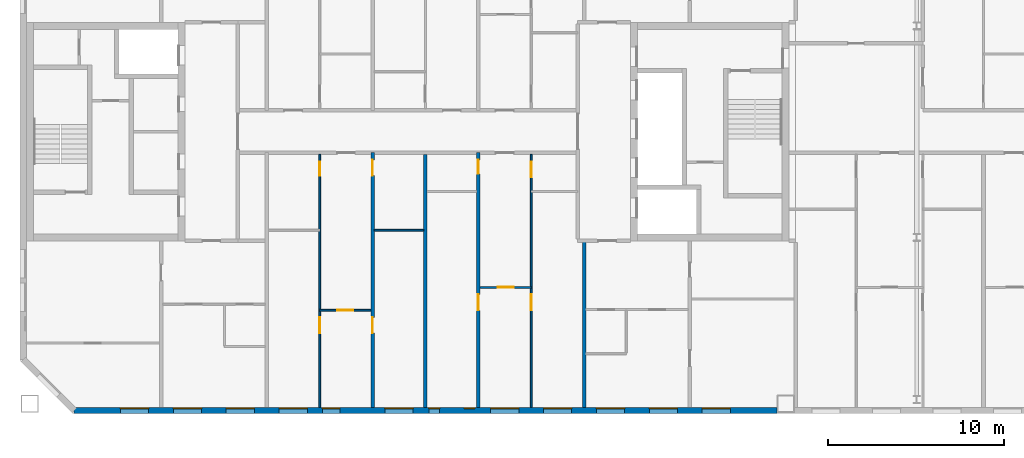
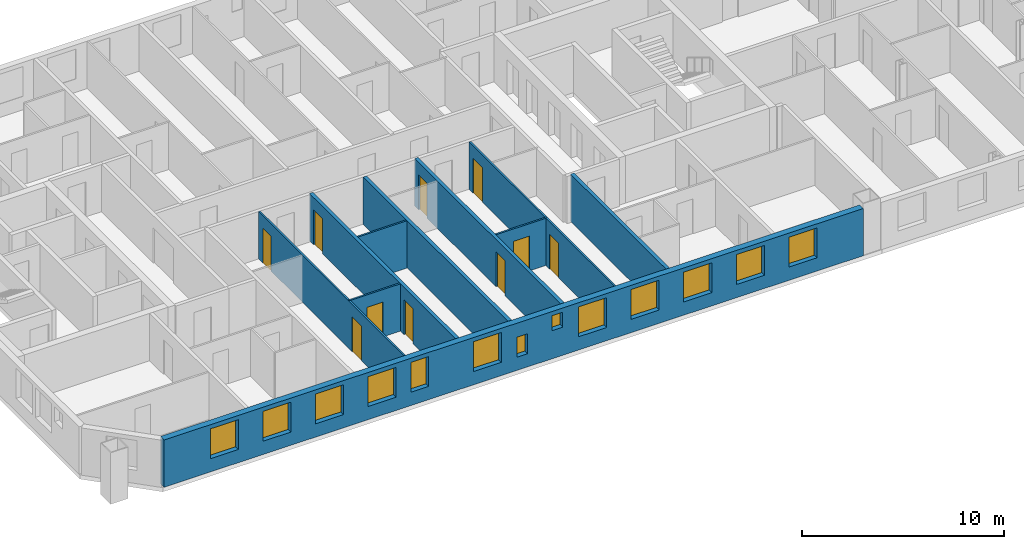
# One storey, part 5 of 19: 13 windows, 10 doors, 10 walls, 23 openings.
"""IFC4 building model written with IfcOpenShell, lengths in metres."""

from ifc_helpers import new_model, si_unit, direction, frame, frame_2d, origin, place, context, subcontext, project, spatial, rectangle, extrude, material, layer, layer_set, type_object, element, fill, save


model = new_model("IFC4")

# Units and contexts
model_context = context("Model", 3, precision=1e-05, world=origin(), true_north=direction((0.0, 1.0)))
body_context = subcontext(model_context, "Body", "Model", "MODEL_VIEW")
ifc_project = project(units=[si_unit("LENGTHUNIT", "METRE"), si_unit("AREAUNIT", "SQUARE_METRE"), si_unit("VOLUMEUNIT", "CUBIC_METRE"), si_unit("PLANEANGLEUNIT", "RADIAN"), si_unit("MASSUNIT", "GRAM", prefix="KILO")], contexts=[model_context])

# Site, building, storey
site_placement = place(None, origin())
site = spatial("IfcSite", under=ifc_project, at=site_placement, CompositionType="ELEMENT")
building_placement = place(site_placement, origin())
building = spatial("IfcBuilding", under=site, at=building_placement, Name="Tuart Gate Housing", CompositionType="ELEMENT")
storey_placement = place(building_placement, frame((0.0, 0.0, 230.699951171875)))
storey = spatial("IfcBuildingStorey", under=building, at=storey_placement, Name="L65", CompositionType="ELEMENT", Elevation=230.699951171875)

# Wall, openings, windows
ifc_material_1 = material(Name="Brick", Category="masonry")
ifc_layer_1 = layer(ifc_material_1, 0.360107421875)
ifc_layer_set_1 = layer_set([ifc_layer_1], Name="Brick pier and spandrel wall 360")
wall_type_1 = type_object("IfcWallType", Name="Brick pier and spandrel wall 360", PredefinedType="STANDARD", material=ifc_layer_set_1)
wall_1_placement = place(storey_placement, frame((35.07470703125, 54.179931640625, 0.0), z_axis=(0.0, 0.0, 1.0), x_axis=(1.0, 0.0, 0.0)))
wall_1 = element("IfcWall", 1, at=wall_1_placement, inside=storey, type_object=wall_type_1, Name="External wall BLK-S L65", PredefinedType="STANDARD", context=body_context, shape_type="SweptSolid", body=[
    extrude(rectangle(XDim=39.875244140625, YDim=0.360107421875, at=frame_2d((19.9375, 0.0))), origin(), (0.0, 0.0, 1.0), 2.85009765625),
])
opening_1_placement = place(wall_1_placement, frame((2.62548828125, 0.0, 0.800048828125)))
opening_1 = element("IfcOpeningElement", 2, at=opening_1_placement, cuts=wall_1, Name="Opening W1", PredefinedType="OPENING", context=body_context, shape_type="SweptSolid", body=[
    extrude(rectangle(XDim=1.60009765625, YDim=1.800048828125, at=frame_2d((0.800048828125, 0.89990234375))), frame((0.0, 0.18994140625, 0.0), z_axis=(0.0, -1.0, 0.0), x_axis=(1.0, 0.0, 0.0)), (0.0, 0.0, 1.0), 0.380126953125),
])
opening_2_placement = place(wall_1_placement, frame((5.62548828125, 0.0, 0.800048828125)))
opening_2 = element("IfcOpeningElement", 3, at=opening_2_placement, cuts=wall_1, Name="Opening W1", PredefinedType="OPENING", context=body_context, shape_type="SweptSolid", body=[
    extrude(rectangle(XDim=1.60009765625, YDim=1.800048828125, at=frame_2d((0.800048828125, 0.89990234375))), frame((0.0, 0.18994140625, 0.0), z_axis=(0.0, -1.0, 0.0), x_axis=(1.0, 0.0, 0.0)), (0.0, 0.0, 1.0), 0.380126953125),
])
opening_3_placement = place(wall_1_placement, frame((8.62548828125, 0.0, 0.800048828125)))
opening_3 = element("IfcOpeningElement", 4, at=opening_3_placement, cuts=wall_1, Name="Opening W1", PredefinedType="OPENING", context=body_context, shape_type="SweptSolid", body=[
    extrude(rectangle(XDim=1.60009765625, YDim=1.800048828125, at=frame_2d((0.800048828125, 0.89990234375))), frame((0.0, 0.18994140625, 0.0), z_axis=(0.0, -1.0, 0.0), x_axis=(1.0, 0.0, 0.0)), (0.0, 0.0, 1.0), 0.380126953125),
])
opening_4_placement = place(wall_1_placement, frame((11.62548828125, 0.0, 0.800048828125)))
opening_4 = element("IfcOpeningElement", 5, at=opening_4_placement, cuts=wall_1, Name="Opening W1", PredefinedType="OPENING", context=body_context, shape_type="SweptSolid", body=[
    extrude(rectangle(XDim=1.60009765625, YDim=1.800048828125, at=frame_2d((0.800048828125, 0.89990234375))), frame((0.0, 0.18994140625, 0.0), z_axis=(0.0, -1.0, 0.0), x_axis=(1.0, 0.0, 0.0)), (0.0, 0.0, 1.0), 0.380126953125),
])
opening_5_placement = place(wall_1_placement, frame((14.075439453125, 0.0, 0.800048828125)))
opening_5 = element("IfcOpeningElement", 6, at=opening_5_placement, cuts=wall_1, Name="Opening W1C", PredefinedType="OPENING", context=body_context, shape_type="SweptSolid", body=[
    extrude(rectangle(XDim=1.0, YDim=1.800048828125, at=frame_2d((0.5, 0.89990234375))), frame((0.0, 0.18994140625, 0.0), z_axis=(0.0, -1.0, 0.0), x_axis=(1.0, 0.0, 0.0)), (0.0, 0.0, 1.0), 0.380126953125),
])
opening_6_placement = place(wall_1_placement, frame((17.62548828125, 0.0, 0.800048828125)))
opening_6 = element("IfcOpeningElement", 7, at=opening_6_placement, cuts=wall_1, Name="Opening W1", PredefinedType="OPENING", context=body_context, shape_type="SweptSolid", body=[
    extrude(rectangle(XDim=1.60009765625, YDim=1.800048828125, at=frame_2d((0.800048828125, 0.89990234375))), frame((0.0, 0.18994140625, 0.0), z_axis=(0.0, -1.0, 0.0), x_axis=(1.0, 0.0, 0.0)), (0.0, 0.0, 1.0), 0.380126953125),
])
opening_7_placement = place(wall_1_placement, frame((20.12548828125, 0.0, 0.800048828125)))
opening_7 = element("IfcOpeningElement", 8, at=opening_7_placement, cuts=wall_1, Name="Opening W1Q", PredefinedType="OPENING", context=body_context, shape_type="SweptSolid", body=[
    extrude(rectangle(XDim=0.60009765625, YDim=1.199951171875, at=frame_2d((0.300048828125, 0.60009765625))), frame((0.0, 0.18994140625, 0.0), z_axis=(0.0, -1.0, 0.0), x_axis=(1.0, 0.0, 0.0)), (0.0, 0.0, 1.0), 0.380126953125),
])
opening_8_placement = place(wall_1_placement, frame((23.62548828125, 0.0, 0.800048828125)))
opening_8 = element("IfcOpeningElement", 9, at=opening_8_placement, cuts=wall_1, Name="Opening W1", PredefinedType="OPENING", context=body_context, shape_type="SweptSolid", body=[
    extrude(rectangle(XDim=1.60009765625, YDim=1.800048828125, at=frame_2d((0.800048828125, 0.89990234375))), frame((0.0, 0.18994140625, 0.0), z_axis=(0.0, -1.0, 0.0), x_axis=(1.0, 0.0, 0.0)), (0.0, 0.0, 1.0), 0.380126953125),
])
opening_9_placement = place(wall_1_placement, frame((26.62548828125, 0.0, 0.800048828125)))
opening_9 = element("IfcOpeningElement", 10, at=opening_9_placement, cuts=wall_1, Name="Opening W1", PredefinedType="OPENING", context=body_context, shape_type="SweptSolid", body=[
    extrude(rectangle(XDim=1.60009765625, YDim=1.800048828125, at=frame_2d((0.800048828125, 0.89990234375))), frame((0.0, 0.18994140625, 0.0), z_axis=(0.0, -1.0, 0.0), x_axis=(1.0, 0.0, 0.0)), (0.0, 0.0, 1.0), 0.380126953125),
])
opening_10_placement = place(wall_1_placement, frame((29.62548828125, 0.0, 0.800048828125)))
opening_10 = element("IfcOpeningElement", 11, at=opening_10_placement, cuts=wall_1, Name="Opening W1", PredefinedType="OPENING", context=body_context, shape_type="SweptSolid", body=[
    extrude(rectangle(XDim=1.60009765625, YDim=1.800048828125, at=frame_2d((0.800048828125, 0.89990234375))), frame((0.0, 0.18994140625, 0.0), z_axis=(0.0, -1.0, 0.0), x_axis=(1.0, 0.0, 0.0)), (0.0, 0.0, 1.0), 0.380126953125),
])
opening_11_placement = place(wall_1_placement, frame((32.62548828125, 0.0, 0.800048828125)))
opening_11 = element("IfcOpeningElement", 12, at=opening_11_placement, cuts=wall_1, Name="Opening W1", PredefinedType="OPENING", context=body_context, shape_type="SweptSolid", body=[
    extrude(rectangle(XDim=1.60009765625, YDim=1.800048828125, at=frame_2d((0.800048828125, 0.89990234375))), frame((0.0, 0.18994140625, 0.0), z_axis=(0.0, -1.0, 0.0), x_axis=(1.0, 0.0, 0.0)), (0.0, 0.0, 1.0), 0.380126953125),
])
opening_12_placement = place(wall_1_placement, frame((35.62548828125, 0.0, 0.800048828125)))
opening_12 = element("IfcOpeningElement", 13, at=opening_12_placement, cuts=wall_1, Name="Opening W1", PredefinedType="OPENING", context=body_context, shape_type="SweptSolid", body=[
    extrude(rectangle(XDim=1.60009765625, YDim=1.800048828125, at=frame_2d((0.800048828125, 0.89990234375))), frame((0.0, 0.18994140625, 0.0), z_axis=(0.0, -1.0, 0.0), x_axis=(1.0, 0.0, 0.0)), (0.0, 0.0, 1.0), 0.380126953125),
])
opening_13_placement = place(wall_1_placement, frame((22.12548828125, 0.0, 1.699951171875)))
opening_13 = element("IfcOpeningElement", 14, at=opening_13_placement, cuts=wall_1, Name="Opening W1W", PredefinedType="OPENING", context=body_context, shape_type="SweptSolid", body=[
    extrude(rectangle(XDim=0.60009765625, YDim=0.89990234375, at=frame_2d((0.300048828125, 0.449951171875))), frame((0.0, 0.18994140625, 0.0), z_axis=(0.0, -1.0, 0.0), x_axis=(1.0, 0.0, 0.0)), (0.0, 0.0, 1.0), 0.380126953125),
])
ifc_material_2 = material(Name="Aluminium frame with clear glass", Category="aluminium")
window_type_1 = type_object("IfcWindowType", Name="Punched window 1000 x 1800", PartitioningType="SINGLE_PANEL", PredefinedType="WINDOW", material=ifc_material_2)
window_1_placement = place(opening_5_placement, origin())
window_1 = element("IfcWindow", 15, at=window_1_placement, inside=storey, type_object=window_type_1, Name="Window W1C", OverallHeight=1.800048828125, OverallWidth=1.0, PartitioningType="SINGLE_PANEL", PredefinedType="WINDOW", context=body_context, shape_type="SweptSolid", body=[
    extrude(rectangle(XDim=1.0, YDim=1.800048828125, at=frame_2d((0.5, 0.89990234375))), frame((0.0, 0.150146484375, 0.0), z_axis=(0.0, -1.0, 0.0), x_axis=(1.0, 0.0, 0.0)), (0.0, 0.0, 1.0), 0.06005859375),
])
fill(opening_5, window_1)
ifc_material_3 = material(Name="Aluminium frame with clear glass", Category="aluminium")
window_type_2 = type_object("IfcWindowType", Name="Punched window 1600 x 1800", PartitioningType="SINGLE_PANEL", PredefinedType="WINDOW", material=ifc_material_3)
window_2_placement = place(opening_1_placement, origin())
window_2 = element("IfcWindow", 16, at=window_2_placement, inside=storey, type_object=window_type_2, Name="Window W1", OverallHeight=1.800048828125, OverallWidth=1.60009765625, PartitioningType="SINGLE_PANEL", PredefinedType="WINDOW", context=body_context, shape_type="SweptSolid", body=[
    extrude(rectangle(XDim=1.60009765625, YDim=1.800048828125, at=frame_2d((0.800048828125, 0.89990234375))), frame((0.0, 0.150146484375, 0.0), z_axis=(0.0, -1.0, 0.0), x_axis=(1.0, 0.0, 0.0)), (0.0, 0.0, 1.0), 0.06005859375),
])
fill(opening_1, window_2)
window_3_placement = place(opening_2_placement, origin())
window_3 = element("IfcWindow", 17, at=window_3_placement, inside=storey, type_object=window_type_2, Name="Window W1", OverallHeight=1.800048828125, OverallWidth=1.60009765625, PartitioningType="SINGLE_PANEL", PredefinedType="WINDOW", context=body_context, shape_type="SweptSolid", body=[
    extrude(rectangle(XDim=1.60009765625, YDim=1.800048828125, at=frame_2d((0.800048828125, 0.89990234375))), frame((0.0, 0.150146484375, 0.0), z_axis=(0.0, -1.0, 0.0), x_axis=(1.0, 0.0, 0.0)), (0.0, 0.0, 1.0), 0.06005859375),
])
fill(opening_2, window_3)
window_4_placement = place(opening_3_placement, origin())
window_4 = element("IfcWindow", 18, at=window_4_placement, inside=storey, type_object=window_type_2, Name="Window W1", OverallHeight=1.800048828125, OverallWidth=1.60009765625, PartitioningType="SINGLE_PANEL", PredefinedType="WINDOW", context=body_context, shape_type="SweptSolid", body=[
    extrude(rectangle(XDim=1.60009765625, YDim=1.800048828125, at=frame_2d((0.800048828125, 0.89990234375))), frame((0.0, 0.150146484375, 0.0), z_axis=(0.0, -1.0, 0.0), x_axis=(1.0, 0.0, 0.0)), (0.0, 0.0, 1.0), 0.06005859375),
])
fill(opening_3, window_4)
window_5_placement = place(opening_4_placement, origin())
window_5 = element("IfcWindow", 19, at=window_5_placement, inside=storey, type_object=window_type_2, Name="Window W1", OverallHeight=1.800048828125, OverallWidth=1.60009765625, PartitioningType="SINGLE_PANEL", PredefinedType="WINDOW", context=body_context, shape_type="SweptSolid", body=[
    extrude(rectangle(XDim=1.60009765625, YDim=1.800048828125, at=frame_2d((0.800048828125, 0.89990234375))), frame((0.0, 0.150146484375, 0.0), z_axis=(0.0, -1.0, 0.0), x_axis=(1.0, 0.0, 0.0)), (0.0, 0.0, 1.0), 0.06005859375),
])
fill(opening_4, window_5)
window_6_placement = place(opening_6_placement, origin())
window_6 = element("IfcWindow", 20, at=window_6_placement, inside=storey, type_object=window_type_2, Name="Window W1", OverallHeight=1.800048828125, OverallWidth=1.60009765625, PartitioningType="SINGLE_PANEL", PredefinedType="WINDOW", context=body_context, shape_type="SweptSolid", body=[
    extrude(rectangle(XDim=1.60009765625, YDim=1.800048828125, at=frame_2d((0.800048828125, 0.89990234375))), frame((0.0, 0.150146484375, 0.0), z_axis=(0.0, -1.0, 0.0), x_axis=(1.0, 0.0, 0.0)), (0.0, 0.0, 1.0), 0.06005859375),
])
fill(opening_6, window_6)
window_7_placement = place(opening_8_placement, origin())
window_7 = element("IfcWindow", 21, at=window_7_placement, inside=storey, type_object=window_type_2, Name="Window W1", OverallHeight=1.800048828125, OverallWidth=1.60009765625, PartitioningType="SINGLE_PANEL", PredefinedType="WINDOW", context=body_context, shape_type="SweptSolid", body=[
    extrude(rectangle(XDim=1.60009765625, YDim=1.800048828125, at=frame_2d((0.800048828125, 0.89990234375))), frame((0.0, 0.150146484375, 0.0), z_axis=(0.0, -1.0, 0.0), x_axis=(1.0, 0.0, 0.0)), (0.0, 0.0, 1.0), 0.06005859375),
])
fill(opening_8, window_7)
window_8_placement = place(opening_9_placement, origin())
window_8 = element("IfcWindow", 22, at=window_8_placement, inside=storey, type_object=window_type_2, Name="Window W1", OverallHeight=1.800048828125, OverallWidth=1.60009765625, PartitioningType="SINGLE_PANEL", PredefinedType="WINDOW", context=body_context, shape_type="SweptSolid", body=[
    extrude(rectangle(XDim=1.60009765625, YDim=1.800048828125, at=frame_2d((0.800048828125, 0.89990234375))), frame((0.0, 0.150146484375, 0.0), z_axis=(0.0, -1.0, 0.0), x_axis=(1.0, 0.0, 0.0)), (0.0, 0.0, 1.0), 0.06005859375),
])
fill(opening_9, window_8)
window_9_placement = place(opening_10_placement, origin())
window_9 = element("IfcWindow", 23, at=window_9_placement, inside=storey, type_object=window_type_2, Name="Window W1", OverallHeight=1.800048828125, OverallWidth=1.60009765625, PartitioningType="SINGLE_PANEL", PredefinedType="WINDOW", context=body_context, shape_type="SweptSolid", body=[
    extrude(rectangle(XDim=1.60009765625, YDim=1.800048828125, at=frame_2d((0.800048828125, 0.89990234375))), frame((0.0, 0.150146484375, 0.0), z_axis=(0.0, -1.0, 0.0), x_axis=(1.0, 0.0, 0.0)), (0.0, 0.0, 1.0), 0.06005859375),
])
fill(opening_10, window_9)
window_10_placement = place(opening_11_placement, origin())
window_10 = element("IfcWindow", 24, at=window_10_placement, inside=storey, type_object=window_type_2, Name="Window W1", OverallHeight=1.800048828125, OverallWidth=1.60009765625, PartitioningType="SINGLE_PANEL", PredefinedType="WINDOW", context=body_context, shape_type="SweptSolid", body=[
    extrude(rectangle(XDim=1.60009765625, YDim=1.800048828125, at=frame_2d((0.800048828125, 0.89990234375))), frame((0.0, 0.150146484375, 0.0), z_axis=(0.0, -1.0, 0.0), x_axis=(1.0, 0.0, 0.0)), (0.0, 0.0, 1.0), 0.06005859375),
])
fill(opening_11, window_10)
window_11_placement = place(opening_12_placement, origin())
window_11 = element("IfcWindow", 25, at=window_11_placement, inside=storey, type_object=window_type_2, Name="Window W1", OverallHeight=1.800048828125, OverallWidth=1.60009765625, PartitioningType="SINGLE_PANEL", PredefinedType="WINDOW", context=body_context, shape_type="SweptSolid", body=[
    extrude(rectangle(XDim=1.60009765625, YDim=1.800048828125, at=frame_2d((0.800048828125, 0.89990234375))), frame((0.0, 0.150146484375, 0.0), z_axis=(0.0, -1.0, 0.0), x_axis=(1.0, 0.0, 0.0)), (0.0, 0.0, 1.0), 0.06005859375),
])
fill(opening_12, window_11)
ifc_material_4 = material(Name="Aluminium frame with clear glass", Category="aluminium")
window_type_3 = type_object("IfcWindowType", Name="Punched window 600 x 1200", PartitioningType="SINGLE_PANEL", PredefinedType="WINDOW", material=ifc_material_4)
window_12_placement = place(opening_7_placement, origin())
window_12 = element("IfcWindow", 26, at=window_12_placement, inside=storey, type_object=window_type_3, Name="Window W1Q", OverallHeight=1.199951171875, OverallWidth=0.60009765625, PartitioningType="SINGLE_PANEL", PredefinedType="WINDOW", context=body_context, shape_type="SweptSolid", body=[
    extrude(rectangle(XDim=0.60009765625, YDim=1.199951171875, at=frame_2d((0.300048828125, 0.60009765625))), frame((0.0, 0.150146484375, 0.0), z_axis=(0.0, -1.0, 0.0), x_axis=(1.0, 0.0, 0.0)), (0.0, 0.0, 1.0), 0.06005859375),
])
fill(opening_7, window_12)
ifc_material_5 = material(Name="Aluminium frame with clear glass", Category="aluminium")
window_type_4 = type_object("IfcWindowType", Name="Punched window 600 x 900", PartitioningType="SINGLE_PANEL", PredefinedType="WINDOW", material=ifc_material_5)
window_13_placement = place(opening_13_placement, origin())
window_13 = element("IfcWindow", 27, at=window_13_placement, inside=storey, type_object=window_type_4, Name="Window W1W", OverallHeight=0.89990234375, OverallWidth=0.60009765625, PartitioningType="SINGLE_PANEL", PredefinedType="WINDOW", context=body_context, shape_type="SweptSolid", body=[
    extrude(rectangle(XDim=0.60009765625, YDim=0.89990234375, at=frame_2d((0.300048828125, 0.449951171875))), frame((0.0, 0.150146484375, 0.0), z_axis=(0.0, -1.0, 0.0), x_axis=(1.0, 0.0, 0.0)), (0.0, 0.0, 1.0), 0.06005859375),
])
fill(opening_13, window_13)

# Wall, opening, door
ifc_material_6 = material(Name="Gypsum board on steel studs", Category="steel")
ifc_layer_2 = layer(ifc_material_6, 0.10009765625)
ifc_layer_set_2 = layer_set([ifc_layer_2], Name="Partition 100")
wall_type_2 = type_object("IfcWallType", Name="Partition 100", PredefinedType="PARTITIONING", material=ifc_layer_set_2)
wall_2_placement = place(storey_placement, frame((49.0, 59.860107421875, 0.0), z_axis=(0.0, 0.0, 1.0), x_axis=(1.0, 0.0, 0.0)))
wall_2 = element("IfcWall", 28, at=wall_2_placement, inside=storey, type_object=wall_type_2, Name="Partition 100", PredefinedType="PARTITIONING", context=body_context, shape_type="SweptSolid", body=[
    extrude(rectangle(XDim=2.89990234375, YDim=0.10009765625, at=frame_2d((1.449951171875, 0.0))), origin(), (0.0, 0.0, 1.0), 2.85009765625),
])
opening_14_placement = place(wall_2_placement, frame((1.0, 0.0, 0.0)))
opening_14 = element("IfcOpeningElement", 29, at=opening_14_placement, cuts=wall_2, Name="Opening D2494", PredefinedType="OPENING", context=body_context, shape_type="SweptSolid", body=[
    extrude(rectangle(XDim=0.89990234375, YDim=2.10009765625, at=frame_2d((0.449951171875, 1.050048828125))), frame((0.0, 0.06005859375, 0.0), z_axis=(0.0, -1.0, 0.0), x_axis=(1.0, 0.0, 0.0)), (0.0, 0.0, 1.0), 0.1201171875),
])
ifc_material_7 = material(Name="Timber door leaf in steel frame", Category="steel")
door_type_1 = type_object("IfcDoorType", Name="Internal door 900", OperationType="SINGLE_SWING_LEFT", PredefinedType="DOOR", material=ifc_material_7)
door_1_placement = place(opening_14_placement, origin())
door_1 = element("IfcDoor", 30, at=door_1_placement, inside=storey, type_object=door_type_1, Name="Internal door", OperationType="SINGLE_SWING_LEFT", OverallHeight=2.10009765625, OverallWidth=0.89990234375, PredefinedType="DOOR", context=body_context, shape_type="SweptSolid", body=[
    extrude(rectangle(XDim=0.89990234375, YDim=2.10009765625, at=frame_2d((0.449951171875, 1.050048828125))), frame((0.0, 0.02490234375, 0.0), z_axis=(0.0, -1.0, 0.0), x_axis=(1.0, 0.0, 0.0)), (0.0, 0.0, 1.0), 0.050048828125),
])
fill(opening_14, door_1)

wall_3_placement = place(storey_placement, frame((58.10009765625, 61.159912109375, 0.0), z_axis=(0.0, 0.0, 1.0), x_axis=(1.0, 0.0, 0.0)))
wall_3 = element("IfcWall", 31, at=wall_3_placement, inside=storey, type_object=wall_type_2, Name="Partition 100", PredefinedType="PARTITIONING", context=body_context, shape_type="SweptSolid", body=[
    extrude(rectangle(XDim=2.89990234375, YDim=0.10009765625, at=frame_2d((1.449951171875, 0.0))), origin(), (0.0, 0.0, 1.0), 2.85009765625),
])
opening_15_placement = place(wall_3_placement, frame((1.0, 0.0, 0.0)))
opening_15 = element("IfcOpeningElement", 32, at=opening_15_placement, cuts=wall_3, Name="Opening D2489", PredefinedType="OPENING", context=body_context, shape_type="SweptSolid", body=[
    extrude(rectangle(XDim=0.89990234375, YDim=2.10009765625, at=frame_2d((0.449951171875, 1.050048828125))), frame((0.0, 0.06005859375, 0.0), z_axis=(0.0, -1.0, 0.0), x_axis=(1.0, 0.0, 0.0)), (0.0, 0.0, 1.0), 0.1201171875),
])
ifc_material_8 = material(Name="Timber door leaf in steel frame", Category="steel")
door_type_2 = type_object("IfcDoorType", Name="Internal door 900 RH", OperationType="SINGLE_SWING_RIGHT", PredefinedType="DOOR", material=ifc_material_8)
door_2_placement = place(opening_15_placement, origin())
door_2 = element("IfcDoor", 33, at=door_2_placement, inside=storey, type_object=door_type_2, Name="Internal door", OperationType="SINGLE_SWING_RIGHT", OverallHeight=2.10009765625, OverallWidth=0.89990234375, PredefinedType="DOOR", context=body_context, shape_type="SweptSolid", body=[
    extrude(rectangle(XDim=0.89990234375, YDim=2.10009765625, at=frame_2d((0.449951171875, 1.050048828125))), frame((0.0, 0.02490234375, 0.0), z_axis=(0.0, -1.0, 0.0), x_axis=(1.0, 0.0, 0.0)), (0.0, 0.0, 1.0), 0.050048828125),
])
fill(opening_15, door_2)

# Wall
wall_4_placement = place(storey_placement, frame((52.10009765625, 64.39990234375, 0.0), z_axis=(0.0, 0.0, 1.0), x_axis=(1.0, 0.0, 0.0)))
element("IfcWall", 34, at=wall_4_placement, inside=storey, type_object=wall_type_2, Name="Partition 100", PredefinedType="PARTITIONING", context=body_context, shape_type="SweptSolid", body=[
    extrude(rectangle(XDim=2.7998046875, YDim=0.10009765625, at=frame_2d((1.39990234375, 0.0))), origin(), (0.0, 0.0, 1.0), 2.85009765625),
])

# Wall, openings, doors
wall_5_placement = place(storey_placement, frame((49.0, 54.360107421875, 0.0), z_axis=(0.0, 0.0, 1.0), x_axis=(0.0, 1.0, 0.0)))
wall_5 = element("IfcWall", 35, at=wall_5_placement, inside=storey, type_object=wall_type_2, Name="Partition 100", PredefinedType="PARTITIONING", context=body_context, shape_type="SweptSolid", body=[
    extrude(rectangle(XDim=14.33984375, YDim=0.10009765625, at=frame_2d((7.169921875, 0.0))), origin(), (0.0, 0.0, 1.0), 2.85009765625),
])
opening_16_placement = place(wall_5_placement, frame((4.199951171875, 0.0, 0.0)))
opening_16 = element("IfcOpeningElement", 36, at=opening_16_placement, cuts=wall_5, Name="Opening D2485", PredefinedType="OPENING", context=body_context, shape_type="SweptSolid", body=[
    extrude(rectangle(XDim=0.89990234375, YDim=2.10009765625, at=frame_2d((0.449951171875, 1.050048828125))), frame((0.0, 0.06005859375, 0.0), z_axis=(0.0, -1.0, 0.0), x_axis=(1.0, 0.0, 0.0)), (0.0, 0.0, 1.0), 0.1201171875),
])
opening_17_placement = place(wall_5_placement, frame((13.139892578125, 0.0, 0.0)))
opening_17 = element("IfcOpeningElement", 37, at=opening_17_placement, cuts=wall_5, Name="Opening D2486", PredefinedType="OPENING", context=body_context, shape_type="SweptSolid", body=[
    extrude(rectangle(XDim=0.800048828125, YDim=2.10009765625, at=frame_2d((0.39990234375, 1.050048828125))), frame((0.0, 0.06005859375, 0.0), z_axis=(0.0, -1.0, 0.0), x_axis=(1.0, 0.0, 0.0)), (0.0, 0.0, 1.0), 0.1201171875),
])
door_3_placement = place(opening_16_placement, origin())
door_3 = element("IfcDoor", 38, at=door_3_placement, inside=storey, type_object=door_type_1, Name="Internal door", OperationType="SINGLE_SWING_LEFT", OverallHeight=2.10009765625, OverallWidth=0.89990234375, PredefinedType="DOOR", context=body_context, shape_type="SweptSolid", body=[
    extrude(rectangle(XDim=0.89990234375, YDim=2.10009765625, at=frame_2d((0.449951171875, 1.050048828125))), frame((0.0, 0.02490234375, 0.0), z_axis=(0.0, -1.0, 0.0), x_axis=(1.0, 0.0, 0.0)), (0.0, 0.0, 1.0), 0.050048828125),
])
fill(opening_16, door_3)
ifc_material_9 = material(Name="Timber door leaf in steel frame", Category="steel")
door_type_3 = type_object("IfcDoorType", Name="Store door 800 RH", OperationType="SINGLE_SWING_RIGHT", PredefinedType="DOOR", material=ifc_material_9)
door_4_placement = place(opening_17_placement, origin())
door_4 = element("IfcDoor", 39, at=door_4_placement, inside=storey, type_object=door_type_3, Name="Store door", OperationType="SINGLE_SWING_RIGHT", OverallHeight=2.10009765625, OverallWidth=0.800048828125, PredefinedType="DOOR", context=body_context, shape_type="SweptSolid", body=[
    extrude(rectangle(XDim=0.800048828125, YDim=2.10009765625, at=frame_2d((0.39990234375, 1.050048828125))), frame((0.0, 0.02490234375, 0.0), z_axis=(0.0, -1.0, 0.0), x_axis=(1.0, 0.0, 0.0)), (0.0, 0.0, 1.0), 0.050048828125),
])
fill(opening_17, door_4)

wall_6_placement = place(storey_placement, frame((61.0, 54.360107421875, 0.0), z_axis=(0.0, 0.0, 1.0), x_axis=(0.0, 1.0, 0.0)))
wall_6 = element("IfcWall", 40, at=wall_6_placement, inside=storey, type_object=wall_type_2, Name="Partition 100", PredefinedType="PARTITIONING", context=body_context, shape_type="SweptSolid", body=[
    extrude(rectangle(XDim=14.33984375, YDim=0.10009765625, at=frame_2d((7.169921875, 0.0))), origin(), (0.0, 0.0, 1.0), 2.85009765625),
])
opening_18_placement = place(wall_6_placement, frame((5.5, 0.0, 0.0)))
opening_18 = element("IfcOpeningElement", 41, at=opening_18_placement, cuts=wall_6, Name="Opening D2488", PredefinedType="OPENING", context=body_context, shape_type="SweptSolid", body=[
    extrude(rectangle(XDim=0.89990234375, YDim=2.10009765625, at=frame_2d((0.449951171875, 1.050048828125))), frame((0.0, 0.06005859375, 0.0), z_axis=(0.0, -1.0, 0.0), x_axis=(1.0, 0.0, 0.0)), (0.0, 0.0, 1.0), 0.1201171875),
])
opening_19_placement = place(wall_6_placement, frame((13.0400390625, 0.0, 0.0)))
opening_19 = element("IfcOpeningElement", 42, at=opening_19_placement, cuts=wall_6, Name="Opening D2487", PredefinedType="OPENING", context=body_context, shape_type="SweptSolid", body=[
    extrude(rectangle(XDim=0.89990234375, YDim=2.10009765625, at=frame_2d((0.449951171875, 1.050048828125))), frame((0.0, 0.06005859375, 0.0), z_axis=(0.0, -1.0, 0.0), x_axis=(1.0, 0.0, 0.0)), (0.0, 0.0, 1.0), 0.1201171875),
])
ifc_material_10 = material(Name="Timber door leaf in steel frame", Category="steel")
door_type_4 = type_object("IfcDoorType", Name="Bathroom door 900", OperationType="SINGLE_SWING_LEFT", PredefinedType="DOOR", material=ifc_material_10)
door_5_placement = place(opening_19_placement, frame((0.89990234375, 0.0, 0.0), z_axis=(0.0, 0.0, 1.0), x_axis=(-1.0, 0.0, 0.0)))
door_5 = element("IfcDoor", 43, at=door_5_placement, inside=storey, type_object=door_type_4, Name="Bathroom door", OperationType="SINGLE_SWING_LEFT", OverallHeight=2.10009765625, OverallWidth=0.89990234375, PredefinedType="DOOR", context=body_context, shape_type="SweptSolid", body=[
    extrude(rectangle(XDim=0.89990234375, YDim=2.10009765625, at=frame_2d((0.449951171875, 1.050048828125))), frame((0.0, 0.025146484375, 0.0), z_axis=(0.0, -1.0, 0.0), x_axis=(1.0, 0.0, 0.0)), (0.0, 0.0, 1.0), 0.050048828125),
])
fill(opening_19, door_5)
door_6_placement = place(opening_18_placement, frame((0.89990234375, 0.0, 0.0), z_axis=(0.0, 0.0, 1.0), x_axis=(-1.0, 0.0, 0.0)))
door_6 = element("IfcDoor", 44, at=door_6_placement, inside=storey, type_object=door_type_2, Name="Internal door", OperationType="SINGLE_SWING_RIGHT", OverallHeight=2.10009765625, OverallWidth=0.89990234375, PredefinedType="DOOR", context=body_context, shape_type="SweptSolid", body=[
    extrude(rectangle(XDim=0.89990234375, YDim=2.10009765625, at=frame_2d((0.449951171875, 1.050048828125))), frame((0.0, 0.025146484375, 0.0), z_axis=(0.0, -1.0, 0.0), x_axis=(1.0, 0.0, 0.0)), (0.0, 0.0, 1.0), 0.050048828125),
])
fill(opening_18, door_6)

ifc_material_11 = material(Name="Concrete C40", Category="concrete")
ifc_layer_3 = layer(ifc_material_11, 0.199951171875)
ifc_layer_set_3 = layer_set([ifc_layer_3], Name="Party wall concrete C40 200")
wall_type_3 = type_object("IfcWallType", Name="Party wall concrete C40 200", PredefinedType="SOLIDWALL", material=ifc_layer_set_3)
wall_7_placement = place(storey_placement, frame((52.0, 54.360107421875, 0.0), z_axis=(0.0, 0.0, 1.0), x_axis=(0.0, 1.0, 0.0)))
wall_7 = element("IfcWall", 45, at=wall_7_placement, inside=storey, type_object=wall_type_3, Name="Party wall concrete C40 200", PredefinedType="SOLIDWALL", context=body_context, shape_type="SweptSolid", body=[
    extrude(rectangle(XDim=14.43994140625, YDim=0.199951171875, at=frame_2d((7.219970703125, 0.0))), origin(), (0.0, 0.0, 1.0), 2.85009765625),
])
opening_20_placement = place(wall_7_placement, frame((4.199951171875, 0.0, 0.0)))
opening_20 = element("IfcOpeningElement", 46, at=opening_20_placement, cuts=wall_7, Name="Opening D2482", PredefinedType="OPENING", context=body_context, shape_type="SweptSolid", body=[
    extrude(rectangle(XDim=0.89990234375, YDim=2.10009765625, at=frame_2d((0.449951171875, 1.050048828125))), frame((0.0, 0.10986328125, 0.0), z_axis=(0.0, -1.0, 0.0), x_axis=(1.0, 0.0, 0.0)), (0.0, 0.0, 1.0), 0.219970703125),
])
opening_21_placement = place(wall_7_placement, frame((13.139892578125, 0.0, 0.0)))
opening_21 = element("IfcOpeningElement", 47, at=opening_21_placement, cuts=wall_7, Name="Opening D2481", PredefinedType="OPENING", context=body_context, shape_type="SweptSolid", body=[
    extrude(rectangle(XDim=0.89990234375, YDim=2.10009765625, at=frame_2d((0.449951171875, 1.050048828125))), frame((0.0, 0.10986328125, 0.0), z_axis=(0.0, -1.0, 0.0), x_axis=(1.0, 0.0, 0.0)), (0.0, 0.0, 1.0), 0.219970703125),
])
door_7_placement = place(opening_21_placement, frame((0.89990234375, 0.0, 0.0), z_axis=(0.0, 0.0, 1.0), x_axis=(-1.0, 0.0, 0.0)))
door_7 = element("IfcDoor", 48, at=door_7_placement, inside=storey, type_object=door_type_4, Name="Bathroom door", OperationType="SINGLE_SWING_LEFT", OverallHeight=2.10009765625, OverallWidth=0.89990234375, PredefinedType="DOOR", context=body_context, shape_type="SweptSolid", body=[
    extrude(rectangle(XDim=0.89990234375, YDim=2.10009765625, at=frame_2d((0.449951171875, 1.050048828125))), frame((0.0, 0.025146484375, 0.0), z_axis=(0.0, -1.0, 0.0), x_axis=(1.0, 0.0, 0.0)), (0.0, 0.0, 1.0), 0.050048828125),
])
fill(opening_21, door_7)
door_8_placement = place(opening_20_placement, frame((0.89990234375, 0.0, 0.0), z_axis=(0.0, 0.0, 1.0), x_axis=(-1.0, 0.0, 0.0)))
door_8 = element("IfcDoor", 49, at=door_8_placement, inside=storey, type_object=door_type_2, Name="Internal door", OperationType="SINGLE_SWING_RIGHT", OverallHeight=2.10009765625, OverallWidth=0.89990234375, PredefinedType="DOOR", context=body_context, shape_type="SweptSolid", body=[
    extrude(rectangle(XDim=0.89990234375, YDim=2.10009765625, at=frame_2d((0.449951171875, 1.050048828125))), frame((0.0, 0.025146484375, 0.0), z_axis=(0.0, -1.0, 0.0), x_axis=(1.0, 0.0, 0.0)), (0.0, 0.0, 1.0), 0.050048828125),
])
fill(opening_20, door_8)

wall_8_placement = place(storey_placement, frame((58.0, 54.360107421875, 0.0), z_axis=(0.0, 0.0, 1.0), x_axis=(0.0, 1.0, 0.0)))
wall_8 = element("IfcWall", 50, at=wall_8_placement, inside=storey, type_object=wall_type_3, Name="Party wall concrete C40 200", PredefinedType="SOLIDWALL", context=body_context, shape_type="SweptSolid", body=[
    extrude(rectangle(XDim=14.43994140625, YDim=0.199951171875, at=frame_2d((7.219970703125, 0.0))), origin(), (0.0, 0.0, 1.0), 2.85009765625),
])
opening_22_placement = place(wall_8_placement, frame((5.5, 0.0, 0.0)))
opening_22 = element("IfcOpeningElement", 51, at=opening_22_placement, cuts=wall_8, Name="Opening D2483", PredefinedType="OPENING", context=body_context, shape_type="SweptSolid", body=[
    extrude(rectangle(XDim=0.89990234375, YDim=2.10009765625, at=frame_2d((0.449951171875, 1.050048828125))), frame((0.0, 0.10986328125, 0.0), z_axis=(0.0, -1.0, 0.0), x_axis=(1.0, 0.0, 0.0)), (0.0, 0.0, 1.0), 0.219970703125),
])
opening_23_placement = place(wall_8_placement, frame((13.239990234375, 0.0, 0.0)))
opening_23 = element("IfcOpeningElement", 52, at=opening_23_placement, cuts=wall_8, Name="Opening D2484", PredefinedType="OPENING", context=body_context, shape_type="SweptSolid", body=[
    extrude(rectangle(XDim=0.800048828125, YDim=2.10009765625, at=frame_2d((0.39990234375, 1.050048828125))), frame((0.0, 0.10986328125, 0.0), z_axis=(0.0, -1.0, 0.0), x_axis=(1.0, 0.0, 0.0)), (0.0, 0.0, 1.0), 0.219970703125),
])
door_9_placement = place(opening_22_placement, origin())
door_9 = element("IfcDoor", 53, at=door_9_placement, inside=storey, type_object=door_type_1, Name="Internal door", OperationType="SINGLE_SWING_LEFT", OverallHeight=2.10009765625, OverallWidth=0.89990234375, PredefinedType="DOOR", context=body_context, shape_type="SweptSolid", body=[
    extrude(rectangle(XDim=0.89990234375, YDim=2.10009765625, at=frame_2d((0.449951171875, 1.050048828125))), frame((0.0, 0.02490234375, 0.0), z_axis=(0.0, -1.0, 0.0), x_axis=(1.0, 0.0, 0.0)), (0.0, 0.0, 1.0), 0.050048828125),
])
fill(opening_22, door_9)
door_10_placement = place(opening_23_placement, origin())
door_10 = element("IfcDoor", 54, at=door_10_placement, inside=storey, type_object=door_type_3, Name="Store door", OperationType="SINGLE_SWING_RIGHT", OverallHeight=2.10009765625, OverallWidth=0.800048828125, PredefinedType="DOOR", context=body_context, shape_type="SweptSolid", body=[
    extrude(rectangle(XDim=0.800048828125, YDim=2.10009765625, at=frame_2d((0.39990234375, 1.050048828125))), frame((0.0, 0.02490234375, 0.0), z_axis=(0.0, -1.0, 0.0), x_axis=(1.0, 0.0, 0.0)), (0.0, 0.0, 1.0), 0.050048828125),
])
fill(opening_23, door_10)

# Walls
wall_9_placement = place(storey_placement, frame((64.0, 54.360107421875, 0.0), z_axis=(0.0, 0.0, 1.0), x_axis=(0.0, 1.0, 0.0)))
element("IfcWall", 55, at=wall_9_placement, inside=storey, type_object=wall_type_3, Name="Party wall concrete C40 200", PredefinedType="SOLIDWALL", context=body_context, shape_type="SweptSolid", body=[
    extrude(rectangle(XDim=9.43994140625, YDim=0.199951171875, at=frame_2d((4.719970703125, 0.0))), origin(), (0.0, 0.0, 1.0), 2.85009765625),
])
ifc_material_12 = material(Name="Concrete masonry 15 MPa", Category="masonry")
ifc_layer_4 = layer(ifc_material_12, 0.199951171875)
ifc_layer_set_4 = layer_set([ifc_layer_4], Name="Party wall masonry 200")
wall_type_4 = type_object("IfcWallType", Name="Party wall masonry 200", PredefinedType="PARTITIONING", material=ifc_layer_set_4)
wall_10_placement = place(storey_placement, frame((55.0, 54.360107421875, 0.0), z_axis=(0.0, 0.0, 1.0), x_axis=(0.0, 1.0, 0.0)))
element("IfcWall", 56, at=wall_10_placement, inside=storey, type_object=wall_type_4, Name="Party wall masonry 200", PredefinedType="PARTITIONING", context=body_context, shape_type="SweptSolid", body=[
    extrude(rectangle(XDim=14.33984375, YDim=0.199951171875, at=frame_2d((7.169921875, 0.0))), origin(), (0.0, 0.0, 1.0), 2.85009765625),
])

save(model, "model.ifc")
